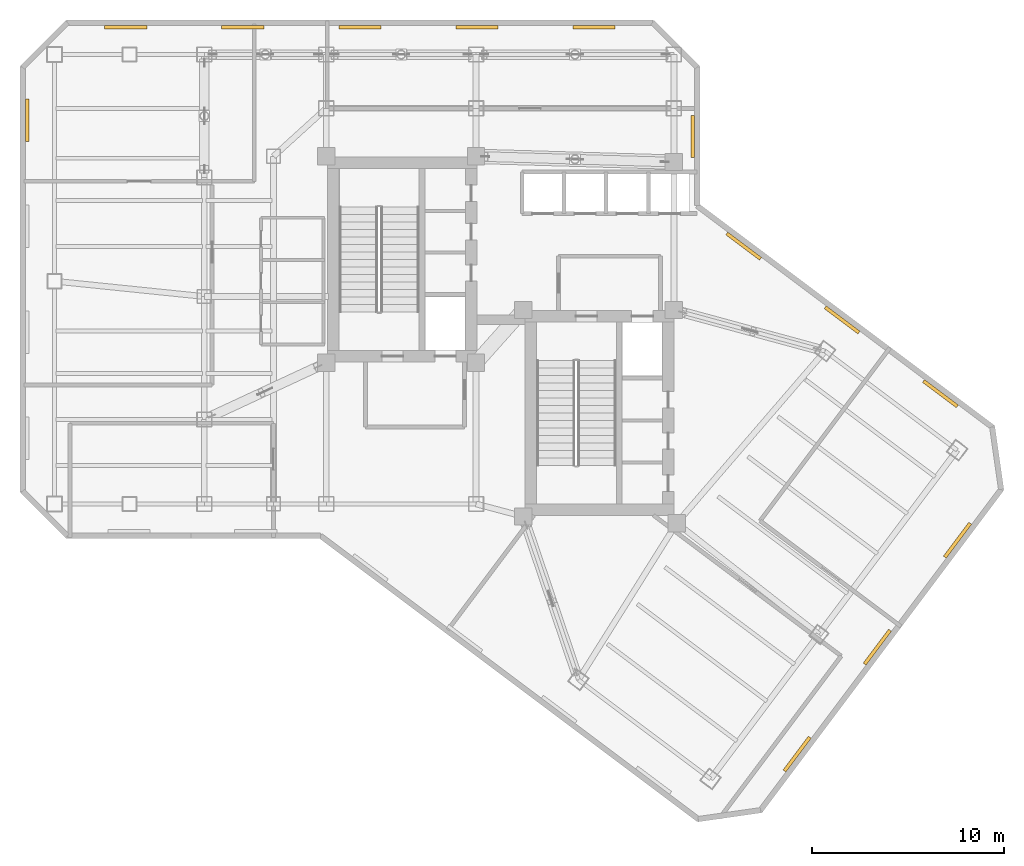
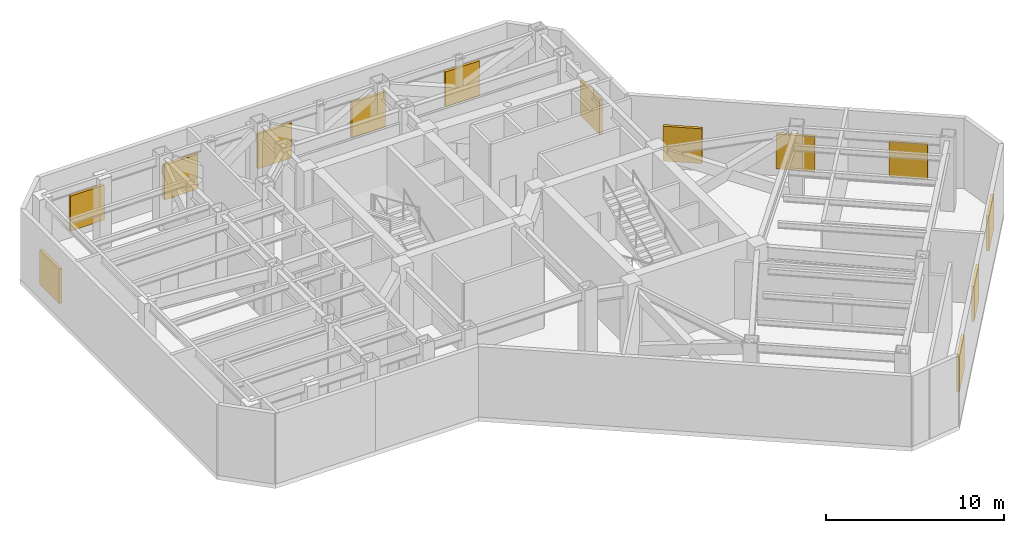
# One storey, part 12 of 12: 13 shading devices.
"""IFC4 building model written with IfcOpenShell, lengths in metres."""

from ifc_helpers import new_model, si_unit, direction, frame, origin, origin_2d, place, context, subcontext, project, spatial, rectangle, extrude, material, layer, layer_set, type_object, element, save


model = new_model("IFC4")

# Units and contexts
model_context = context("Model", 3, precision=1e-05, world=origin(), true_north=direction((0.0, 1.0)))
body_context = subcontext(model_context, "Body", "Model", "MODEL_VIEW")
ifc_project = project(units=[si_unit("LENGTHUNIT", "METRE"), si_unit("AREAUNIT", "SQUARE_METRE"), si_unit("VOLUMEUNIT", "CUBIC_METRE"), si_unit("PLANEANGLEUNIT", "RADIAN"), si_unit("MASSUNIT", "GRAM", prefix="KILO")], contexts=[model_context])

# Site, building, storey
site_placement = place(None, origin())
site = spatial("IfcSite", under=ifc_project, at=site_placement, CompositionType="ELEMENT")
building_placement = place(site_placement, origin())
building = spatial("IfcBuilding", under=site, at=building_placement, Name="Hatsunagi Terrace Concourse", CompositionType="ELEMENT")
storey_placement = place(building_placement, frame((0.0, 0.0, 181.64990234375)))
storey = spatial("IfcBuildingStorey", under=building, at=storey_placement, Name="L48", CompositionType="ELEMENT", Elevation=181.64990234375)

# Shading devices
ifc_material = material(Name="Powder-Coated Aluminium Acoustic Louvre", Category="aluminium")
ifc_layer = layer(ifc_material, 0.179931640625)
ifc_layer_set = layer_set([ifc_layer], Name="PlantAcousticLouvre_180")
shading_device_type = type_object("IfcShadingDeviceType", Name="PlantAcousticLouvre_180", PredefinedType="JALOUSIE", material=ifc_layer_set)
for number, where, z_axis, x_axis, name in (
    (1, (47.283935546875, 38.625, 0.60009765625), (0.0, 0.0, 1.0), (0.800012541543, -0.599983277578, 0.0), "Plant Acoustic Louvre L48-01-1"),
    (2, (52.406982421875, 34.781982421875, 0.60009765625), (0.0, 0.0, 1.0), (0.800012541543, -0.599983277578, 0.0), "Plant Acoustic Louvre L48-01-2"),
    (3, (57.530029296875, 30.93994140625, 0.60009765625), (0.0, 0.0, 1.0), (0.800012541543, -0.599983277578, 0.0), "Plant Acoustic Louvre L48-01-3"),
    (4, (58.4208984375, 23.31103515625, 0.60009765625), (0.0, 0.0, 1.0), (-0.599969314634, -0.800023013105, 0.0), "Plant Acoustic Louvre L48-03-1"),
    (5, (54.243896484375, 17.741943359375, 0.60009765625), (0.0, 0.0, 1.0), (-0.599969314634, -0.800023013105, 0.0), "Plant Acoustic Louvre L48-03-2"),
    (6, (50.06689453125, 12.173095703125, 0.60009765625), (0.0, 0.0, 1.0), (-0.599969314634, -0.800023013105, 0.0), "Plant Acoustic Louvre L48-03-3"),
    (7, (9.969970703125, 45.180908203125, 0.60009765625), (0.0, 0.0, 1.0), (0.0, 1.0, 0.0), "Plant Acoustic Louvre L48-09-4"),
    (8, (15.10595703125, 50.030029296875, 0.60009765625), (0.0, 0.0, 1.0), (1.0, 0.0, 0.0), "Plant Acoustic Louvre L48-11-1"),
    (9, (21.202880859375, 50.030029296875, 0.60009765625), (0.0, 0.0, 1.0), (1.0, 0.0, 0.0), "Plant Acoustic Louvre L48-11-2"),
    (10, (27.300048828125, 50.030029296875, 0.60009765625), (0.0, 0.0, 1.0), (1.0, 0.0, 0.0), "Plant Acoustic Louvre L48-11-3"),
    (11, (33.39697265625, 50.030029296875, 0.60009765625), (0.0, 0.0, 1.0), (1.0, 0.0, 0.0), "Plant Acoustic Louvre L48-11-4"),
    (12, (39.493896484375, 50.030029296875, 0.60009765625), (0.0, 0.0, 1.0), (1.0, 0.0, 0.0), "Plant Acoustic Louvre L48-11-5"),
    (13, (44.6298828125, 44.3359375, 0.60009765625), (0.0, 0.0, 1.0), (0.0, -1.0, 0.0), "Plant Acoustic Louvre L48-13-1"),
):
    element("IfcShadingDevice", number, at=place(storey_placement, frame(where, z_axis=z_axis, x_axis=x_axis)), inside=storey, type_object=shading_device_type, Name=name, PredefinedType="JALOUSIE", context=body_context, shape_type="SweptSolid", body=[
        extrude(rectangle(XDim=2.199951171875, YDim=0.179931640625, at=origin_2d()), origin(), (0.0, 0.0, 1.0), 2.39990234375),
    ])

save(model, "model.ifc")
